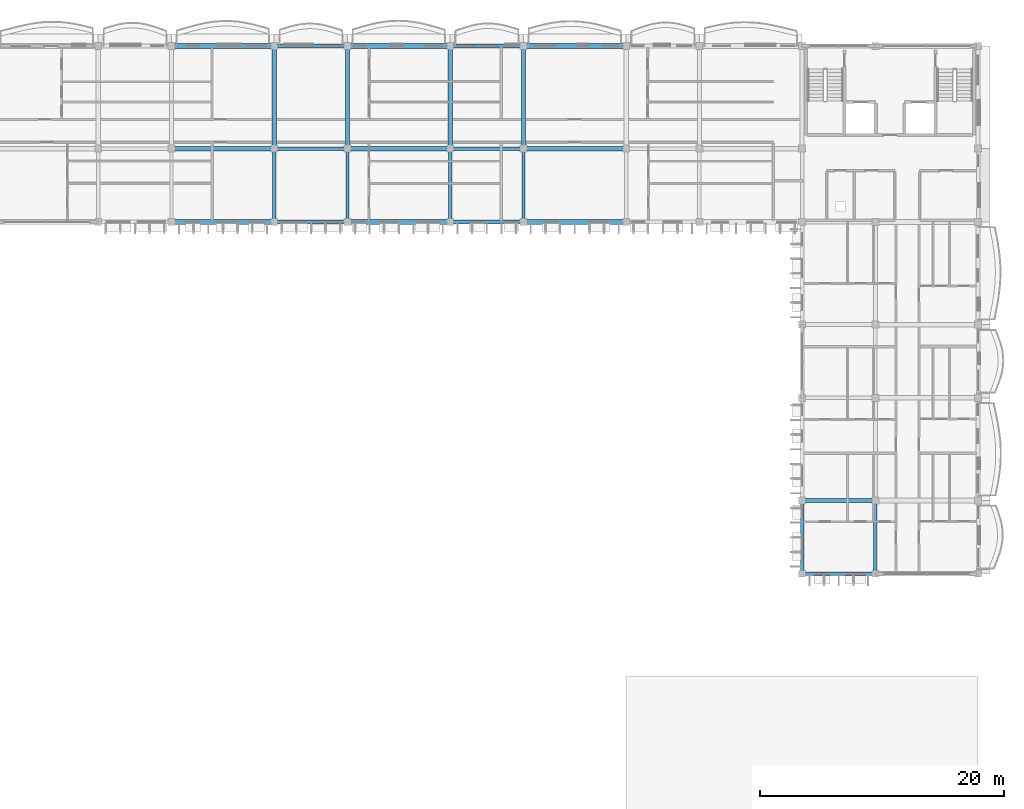
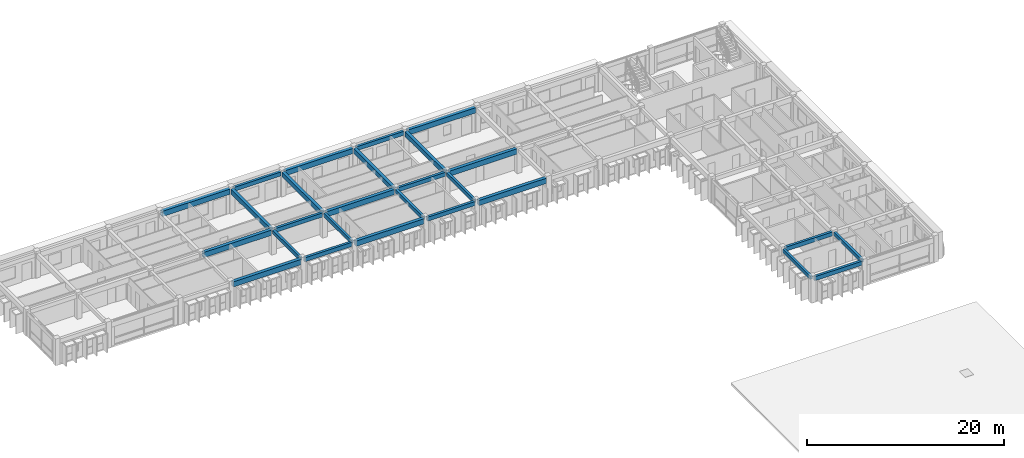
# One storey, part 13 of 54: 27 beams.
"""IFC4 building model written with IfcOpenShell, lengths in metres."""

import ifcopenshell
import ifcopenshell.guid

model = None  # the IFC model being written
_history = None  # IfcOwnerHistory: only IFC2X3 demands one
_inside = {}  # id of a spatial element -> (the spatial element, [elements in it])
_under = {}  # id of a project, library or spatial element -> (it, [spatial elements below it])
_declared = {}  # id of a project -> (the project, [libraries it declares])
_typed = {}  # id of a type object -> (the type object, [elements of that type])
_made_of = {}  # id of a material, layer set ... -> (it, [elements and type objects made of it])


def new_model(schema):
    """Start an empty IFC model of exactly this schema.

    Asked for "IFC4X3", IfcOpenShell would pick the latest addendum, in which some entities
    have other attributes; the version numbers below select the first issue.
    IFC2X3 requires an IfcOwnerHistory on every rooted entity: one is made here for all.
    """
    global model, _history
    if schema == "IFC4X3":
        model = ifcopenshell.file(schema_version=(4, 3, 0, 0))
    else:
        model = ifcopenshell.file(schema=schema)
    _inside.clear()
    _under.clear()
    _declared.clear()
    _typed.clear()
    _made_of.clear()
    _history = None
    if model.schema == "IFC2X3":
        org = make("IfcOrganization", Name="unknown")
        user = make(
            "IfcPersonAndOrganization",
            ThePerson=make("IfcPerson", FamilyName="unknown"),
            TheOrganization=org,
        )
        app = make(
            "IfcApplication",
            ApplicationDeveloper=org,
            Version="unknown",
            ApplicationFullName="unknown",
            ApplicationIdentifier="unknown",
        )
        _history = make(
            "IfcOwnerHistory",
            OwningUser=user,
            OwningApplication=app,
            ChangeAction="ADDED",
            CreationDate=0,
        )
    return model


def make(cls, **values):
    """One entity of the class cls with the attributes given. An attribute that is None is left unset."""
    return model.create_entity(
        cls, **{name: value for name, value in values.items() if value is not None}
    )


def rooted(cls, **values):
    """An entity with a GlobalId (a new one), such as an element, a storey or a relation."""
    return make(cls, GlobalId=ifcopenshell.guid.new(), OwnerHistory=_history, **values)


def si_unit(unit_type, name, prefix=None):
    """IfcSIUnit, for example si_unit("LENGTHUNIT", "METRE", prefix="MILLI")."""
    return make("IfcSIUnit", UnitType=unit_type, Prefix=prefix, Name=name)


def assignment(units):
    """IfcUnitAssignment: the units of a project."""
    return None if units is None else make("IfcUnitAssignment", Units=units)


def point(xyz):
    """IfcCartesianPoint."""
    return None if xyz is None else make("IfcCartesianPoint", Coordinates=xyz)


def direction(xyz):
    """IfcDirection."""
    return None if xyz is None else make("IfcDirection", DirectionRatios=xyz)


def frame(location, z_axis=None, x_axis=None):
    """IfcAxis2Placement3D, a coordinate frame: its origin and axes. An axis left out is left unset."""
    return make(
        "IfcAxis2Placement3D",
        Location=point(location),
        Axis=direction(z_axis),
        RefDirection=direction(x_axis),
    )


def frame_2d(location, x_axis=None):
    """IfcAxis2Placement2D, a coordinate frame in the plane: its origin and x axis."""
    return make(
        "IfcAxis2Placement2D", Location=point(location), RefDirection=direction(x_axis)
    )


def origin():
    """The frame at (0, 0, 0) with its axes left unset."""
    return frame((0.0, 0.0, 0.0))


def origin_2d():
    """The frame at (0, 0) in the plane with its x axis left unset."""
    return frame_2d((0.0, 0.0))


def place(relative_to, where):
    """IfcLocalPlacement: puts the frame where relative to a parent placement (None: the world)."""
    return make(
        "IfcLocalPlacement", PlacementRelTo=relative_to, RelativePlacement=where
    )


def context(
    kind, dimensions, precision=None, world=None, true_north=None, identifier=None
):
    """IfcGeometricRepresentationContext, for example the 3D "Model" context."""
    return make(
        "IfcGeometricRepresentationContext",
        ContextIdentifier=identifier,
        ContextType=kind,
        CoordinateSpaceDimension=dimensions,
        Precision=precision,
        WorldCoordinateSystem=world,
        TrueNorth=true_north,
    )


def subcontext(parent, identifier, kind, view, scale=None):
    """IfcGeometricRepresentationSubContext, for example "Body" below "Model"."""
    return make(
        "IfcGeometricRepresentationSubContext",
        ContextIdentifier=identifier,
        ContextType=kind,
        ParentContext=parent,
        TargetScale=scale,
        TargetView=view,
    )


def project(units=None, contexts=None):
    """IfcProject with its units and contexts."""
    return rooted(
        "IfcProject",
        Name="project",
        RepresentationContexts=contexts,
        UnitsInContext=assignment(units),
    )


def spatial(cls, under=None, at=None, **own):
    """A site, building, storey or space (cls), placed at a placement, below another one or the project."""
    s = rooted(cls, ObjectPlacement=at, **own)
    if under is not None:
        _under.setdefault(under.id(), (under, []))[1].append(s)
    return s


def profile(cls, at=None, kind="AREA", **sizes):
    """A parametric profile (cls). Its sizes go by their IFC names, for example OverallWidth=200.0."""
    return make(cls, ProfileType=kind, Position=at, **sizes)


def rectangle(**sizes):
    """IfcRectangleProfileDef."""
    return profile("IfcRectangleProfileDef", **sizes)


def extrude(swept, where, along, depth):
    """IfcExtrudedAreaSolid: the profile swept, set in the frame where, extruded along a direction by depth."""
    return make(
        "IfcExtrudedAreaSolid",
        SweptArea=swept,
        Position=where,
        ExtrudedDirection=direction(along),
        Depth=depth,
    )


def shape(context_of_items, identifier, shape_type, items):
    """IfcShapeRepresentation: the items that make up one representation, for example the "Body"."""
    return make(
        "IfcShapeRepresentation",
        ContextOfItems=context_of_items,
        RepresentationIdentifier=identifier,
        RepresentationType=shape_type,
        Items=items,
    )


def material(Name=None, Category=None):
    """IfcMaterial."""
    return make("IfcMaterial", Name=Name, Category=Category)


def material_profile(
    of_material, cross_section, Name=None, Category=None, Priority=None
):
    """IfcMaterialProfile: a cross section and its material."""
    return make(
        "IfcMaterialProfile",
        Name=Name,
        Material=of_material,
        Profile=cross_section,
        Priority=Priority,
        Category=Category,
    )


def profile_set(profiles, Name=None, composite=None):
    """IfcMaterialProfileSet."""
    return make(
        "IfcMaterialProfileSet",
        Name=Name,
        MaterialProfiles=profiles,
        CompositeProfile=composite,
    )


def made_of(thing, what):
    """Note that an element or type object is made of a material, layer set ...; save() writes the relation."""
    if what is not None:
        _made_of.setdefault(what.id(), (what, []))[1].append(thing)
    return thing


def type_object(cls, material=None, **own):
    """A type object (cls), such as IfcWallType, which elements share."""
    return made_of(rooted(cls, **own), material)


def element(
    cls,
    number,
    at=None,
    inside=None,
    cuts=None,
    type_object=None,
    material=None,
    context=None,
    identifier="Body",
    shape_type=None,
    held_by="IfcProductDefinitionShape",
    body=None,
    shapes=None,
    **own,
):
    """One element of the class cls, such as IfcWall. Its Tag is "e" and its number.

    at: its placement. inside: the storey or other place that contains it. cuts: it is an
    opening in that element (IfcRelVoidsElement). A single representation is given by context,
    identifier, shape_type and body (its items); several are given by shapes. held_by: the class
    of the entity that holds the representations. save() writes the other relations.
    """
    e = rooted(cls, Tag="e%d" % number, ObjectPlacement=at, **own)
    if body is not None:
        shapes = [shape(context, identifier, shape_type, body)]
    if shapes is not None:
        e.Representation = make(held_by, Representations=shapes)
    if inside is not None:
        _inside.setdefault(inside.id(), (inside, []))[1].append(e)
    if cuts is not None:
        rooted(
            "IfcRelVoidsElement", RelatingBuildingElement=cuts, RelatedOpeningElement=e
        )
    if type_object is not None:
        _typed.setdefault(type_object.id(), (type_object, []))[1].append(e)
    return made_of(e, material)


def aggregate(whole, parts):
    """IfcRelAggregates: a whole, such as a stair, and the parts it consists of."""
    return rooted("IfcRelAggregates", RelatingObject=whole, RelatedObjects=parts)


def save(model, path):
    """Write the relations noted so far, then the file.

    IfcRelAggregates (storeys below a building ...), IfcRelContainedInSpatialStructure (elements
    in a storey), IfcRelDefinesByType, IfcRelAssociatesMaterial and IfcRelDeclares: one each for
    every whole, place, type object, material and project.
    """
    for whole, parts in _under.values():
        aggregate(whole, parts)
    for where, things in _inside.values():
        rooted(
            "IfcRelContainedInSpatialStructure",
            RelatedElements=things,
            RelatingStructure=where,
        )
    for kind, things in _typed.values():
        rooted("IfcRelDefinesByType", RelatedObjects=things, RelatingType=kind)
    for what, things in _made_of.values():
        rooted("IfcRelAssociatesMaterial", RelatedObjects=things, RelatingMaterial=what)
    for by, libraries in _declared.values():
        rooted("IfcRelDeclares", RelatingContext=by, RelatedDefinitions=libraries)
    model.write(path)


model = new_model("IFC4")

# Units and contexts
model_context = context("Model", 3, precision=1e-05, world=origin(), true_north=direction((0.0, 1.0)))
body_context = subcontext(model_context, "Body", "Model", "MODEL_VIEW")
ifc_project = project(units=[si_unit("LENGTHUNIT", "METRE"), si_unit("AREAUNIT", "SQUARE_METRE"), si_unit("VOLUMEUNIT", "CUBIC_METRE"), si_unit("PLANEANGLEUNIT", "RADIAN"), si_unit("MASSUNIT", "GRAM", prefix="KILO"), si_unit("THERMODYNAMICTEMPERATUREUNIT", "KELVIN")], contexts=[model_context])

# Site, building, storey
site_placement = place(None, origin())
site = spatial("IfcSite", under=ifc_project, at=site_placement, CompositionType="ELEMENT")
building_placement = place(site_placement, origin())
building = spatial("IfcBuilding", under=site, at=building_placement, Name="Thalorik Housing Commons", CompositionType="ELEMENT")
storey_placement = place(building_placement, frame((0.0, 0.0, 31.199951171875)))
storey = spatial("IfcBuildingStorey", under=building, at=storey_placement, Name="L09", CompositionType="ELEMENT", Elevation=31.199951171875)

# Beams
ifc_material = material(Name="Precast concrete C40/50", Category="concrete")
ifc_material_profile_1 = material_profile(ifc_material, rectangle(XDim=0.280029296875, YDim=0.449951171875, at=origin_2d()), Name="PC 280x450", Category="concrete")
ifc_profile_set_1 = profile_set([ifc_material_profile_1], Name="Precast concrete C40/50")
beam_type_1 = type_object("IfcBeamType", Name="STR-BM-PC280x450", PredefinedType="BEAM", material=ifc_profile_set_1)
for number, where, z_axis, x_axis, name in (
    (1, (109.199951171875, 109.425048828125, 2.81494140625), (0.0, 1.0, 0.0), (-1.0, 0.0, 0.0), "L09 Beam B-450"),
    (2, (115.199951171875, 109.425048828125, 2.81494140625), (0.0, 1.0, 0.0), (-1.0, 0.0, 0.0), "L09 Beam B-450"),
    (3, (123.60009765625, 109.425048828125, 2.81494140625), (0.0, 1.0, 0.0), (-1.0, 0.0, 0.0), "L09 Beam B-450"),
    (4, (129.60009765625, 109.425048828125, 2.81494140625), (0.0, 1.0, 0.0), (-1.0, 0.0, 0.0), "L09 Beam B-450"),
    (5, (152.39990234375, 80.625, 2.81494140625), (0.0, 1.0, 0.0), (-1.0, 0.0, 0.0), "L09 Beam B-450"),
    (6, (158.39990234375, 80.625, 2.81494140625), (0.0, 1.0, 0.0), (-1.0, 0.0, 0.0), "L09 Beam B-450"),
):
    element("IfcBeam", number, at=place(storey_placement, frame(where, z_axis=z_axis, x_axis=x_axis)), inside=storey, type_object=beam_type_1, Name=name, PredefinedType="BEAM", context=body_context, shape_type="SweptSolid", body=[
        extrude(rectangle(XDim=0.280029296875, YDim=0.449951171875, at=origin_2d()), origin(), (0.0, 0.0, 1.0), 5.550048828125),
    ])
ifc_material_profile_2 = material_profile(ifc_material, rectangle(XDim=0.300048828125, YDim=0.5, at=origin_2d()), Name="PC 300x500", Category="concrete")
ifc_profile_set_2 = profile_set([ifc_material_profile_2], Name="Precast concrete C40/50")
beam_type_2 = type_object("IfcBeamType", Name="STR-BM-PC300x500", PredefinedType="BEAM", material=ifc_profile_set_2)
for number, where, z_axis, x_axis, name in (
    (7, (152.625, 80.39990234375, 2.7900390625), (1.0, 0.0, 0.0), (0.0, 1.0, 0.0), "L09 Beam B-500"),
    (8, (152.625, 86.39990234375, 2.7900390625), (1.0, 0.0, 0.0), (0.0, 1.0, 0.0), "L09 Beam B-500"),
    (9, (109.425048828125, 109.199951171875, 2.7900390625), (1.0, 0.0, 0.0), (0.0, 1.0, 0.0), "L09 Beam B-500"),
    (10, (123.824951171875, 109.199951171875, 2.7900390625), (1.0, 0.0, 0.0), (0.0, 1.0, 0.0), "L09 Beam B-500"),
    (11, (109.425048828125, 115.199951171875, 2.7900390625), (1.0, 0.0, 0.0), (0.0, 1.0, 0.0), "L09 Beam B-500"),
    (12, (123.824951171875, 115.199951171875, 2.7900390625), (1.0, 0.0, 0.0), (0.0, 1.0, 0.0), "L09 Beam B-500"),
    (13, (109.425048828125, 123.60009765625, 2.7900390625), (1.0, 0.0, 0.0), (0.0, 1.0, 0.0), "L09 Beam B-500"),
    (14, (123.824951171875, 123.60009765625, 2.7900390625), (1.0, 0.0, 0.0), (0.0, 1.0, 0.0), "L09 Beam B-500"),
):
    element("IfcBeam", number, at=place(storey_placement, frame(where, z_axis=z_axis, x_axis=x_axis)), inside=storey, type_object=beam_type_2, Name=name, PredefinedType="BEAM", context=body_context, shape_type="SweptSolid", body=[
        extrude(rectangle(XDim=0.300048828125, YDim=0.5, at=origin_2d()), origin(), (0.0, 0.0, 1.0), 5.550048828125),
    ])
ifc_material_profile_3 = material_profile(ifc_material, rectangle(XDim=0.35009765625, YDim=0.60009765625, at=origin_2d()), Name="PC 350x600", Category="concrete")
ifc_profile_set_3 = profile_set([ifc_material_profile_3], Name="Precast concrete C40/50")
beam_type_3 = type_object("IfcBeamType", Name="STR-BM-PC350x600", PredefinedType="BEAM", material=ifc_profile_set_3)
for number, where, z_axis, x_axis, name in (
    (15, (109.199951171875, 115.425048828125, 2.739990234375), (0.0, 1.0, 0.0), (-1.0, 0.0, 0.0), "L09 Beam B-600"),
    (16, (115.199951171875, 115.425048828125, 2.739990234375), (0.0, 1.0, 0.0), (-1.0, 0.0, 0.0), "L09 Beam B-600"),
    (17, (123.60009765625, 115.425048828125, 2.739990234375), (0.0, 1.0, 0.0), (-1.0, 0.0, 0.0), "L09 Beam B-600"),
    (18, (129.60009765625, 115.425048828125, 2.739990234375), (0.0, 1.0, 0.0), (-1.0, 0.0, 0.0), "L09 Beam B-600"),
):
    element("IfcBeam", number, at=place(storey_placement, frame(where, z_axis=z_axis, x_axis=x_axis)), inside=storey, type_object=beam_type_3, Name=name, PredefinedType="BEAM", context=body_context, shape_type="SweptSolid", body=[
        extrude(rectangle(XDim=0.35009765625, YDim=0.60009765625, at=origin_2d()), origin(), (0.0, 0.0, 1.0), 7.949951171875),
    ])
ifc_material_profile_4 = material_profile(ifc_material, rectangle(XDim=0.3798828125, YDim=0.64990234375, at=origin_2d()), Name="PC 380x650", Category="concrete")
ifc_profile_set_4 = profile_set([ifc_material_profile_4], Name="Precast concrete C40/50")
beam_type_4 = type_object("IfcBeamType", Name="STR-BM-PC380x650", PredefinedType="BEAM", material=ifc_profile_set_4)
beam_1_placement = place(storey_placement, frame((101.02490234375, 109.199951171875, 2.715087890625), z_axis=(1.0, 0.0, 0.0), x_axis=(0.0, 1.0, 0.0)))
element("IfcBeam", 19, at=beam_1_placement, inside=storey, type_object=beam_type_4, Name="L09 Beam B-650", PredefinedType="BEAM", context=body_context, shape_type="SweptSolid", body=[
    extrude(rectangle(XDim=0.3798828125, YDim=0.64990234375, at=origin_2d()), origin(), (0.0, 0.0, 1.0), 7.9501953125),
])
for number, where, z_axis, x_axis, name in (
    (20, (115.425048828125, 109.199951171875, 2.715087890625), (1.0, 0.0, 0.0), (0.0, 1.0, 0.0), "L09 Beam B-650"),
    (21, (129.824951171875, 109.199951171875, 2.715087890625), (1.0, 0.0, 0.0), (0.0, 1.0, 0.0), "L09 Beam B-650"),
):
    element("IfcBeam", number, at=place(storey_placement, frame(where, z_axis=z_axis, x_axis=x_axis)), inside=storey, type_object=beam_type_4, Name=name, PredefinedType="BEAM", context=body_context, shape_type="SweptSolid", body=[
        extrude(rectangle(XDim=0.3798828125, YDim=0.64990234375, at=origin_2d()), origin(), (0.0, 0.0, 1.0), 7.949951171875),
    ])
beam_2_placement = place(storey_placement, frame((101.02490234375, 115.199951171875, 2.715087890625), z_axis=(1.0, 0.0, 0.0), x_axis=(0.0, 1.0, 0.0)))
element("IfcBeam", 22, at=beam_2_placement, inside=storey, type_object=beam_type_4, Name="L09 Beam B-650", PredefinedType="BEAM", context=body_context, shape_type="SweptSolid", body=[
    extrude(rectangle(XDim=0.3798828125, YDim=0.64990234375, at=origin_2d()), origin(), (0.0, 0.0, 1.0), 7.9501953125),
])
for number, where, z_axis, x_axis, name in (
    (23, (115.425048828125, 115.199951171875, 2.715087890625), (1.0, 0.0, 0.0), (0.0, 1.0, 0.0), "L09 Beam B-650"),
    (24, (129.824951171875, 115.199951171875, 2.715087890625), (1.0, 0.0, 0.0), (0.0, 1.0, 0.0), "L09 Beam B-650"),
):
    element("IfcBeam", number, at=place(storey_placement, frame(where, z_axis=z_axis, x_axis=x_axis)), inside=storey, type_object=beam_type_4, Name=name, PredefinedType="BEAM", context=body_context, shape_type="SweptSolid", body=[
        extrude(rectangle(XDim=0.3798828125, YDim=0.64990234375, at=origin_2d()), origin(), (0.0, 0.0, 1.0), 7.949951171875),
    ])
beam_3_placement = place(storey_placement, frame((101.02490234375, 123.60009765625, 2.715087890625), z_axis=(1.0, 0.0, 0.0), x_axis=(0.0, 1.0, 0.0)))
element("IfcBeam", 25, at=beam_3_placement, inside=storey, type_object=beam_type_4, Name="L09 Beam B-650", PredefinedType="BEAM", context=body_context, shape_type="SweptSolid", body=[
    extrude(rectangle(XDim=0.3798828125, YDim=0.64990234375, at=origin_2d()), origin(), (0.0, 0.0, 1.0), 7.9501953125),
])
for number, where, z_axis, x_axis, name in (
    (26, (115.425048828125, 123.60009765625, 2.715087890625), (1.0, 0.0, 0.0), (0.0, 1.0, 0.0), "L09 Beam B-650"),
    (27, (129.824951171875, 123.60009765625, 2.715087890625), (1.0, 0.0, 0.0), (0.0, 1.0, 0.0), "L09 Beam B-650"),
):
    element("IfcBeam", number, at=place(storey_placement, frame(where, z_axis=z_axis, x_axis=x_axis)), inside=storey, type_object=beam_type_4, Name=name, PredefinedType="BEAM", context=body_context, shape_type="SweptSolid", body=[
        extrude(rectangle(XDim=0.3798828125, YDim=0.64990234375, at=origin_2d()), origin(), (0.0, 0.0, 1.0), 7.949951171875),
    ])

save(model, "model.ifc")
